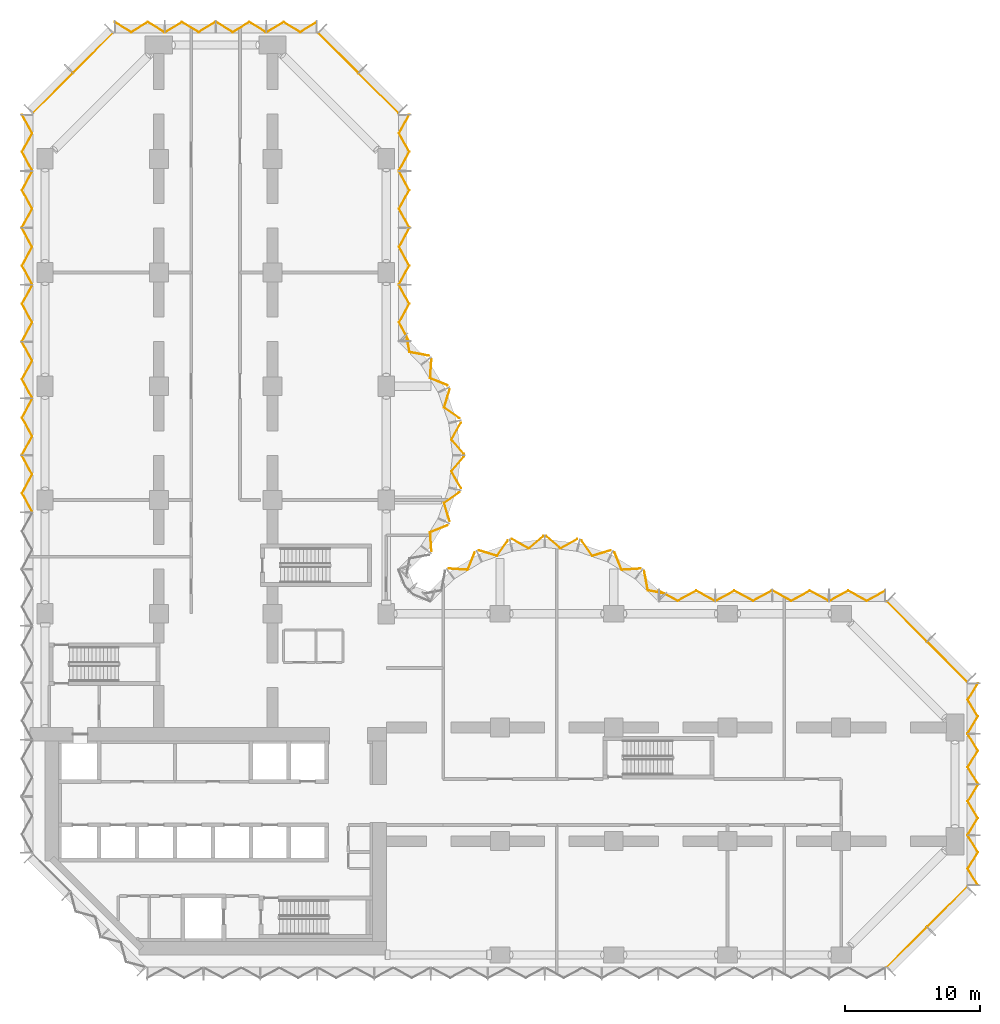
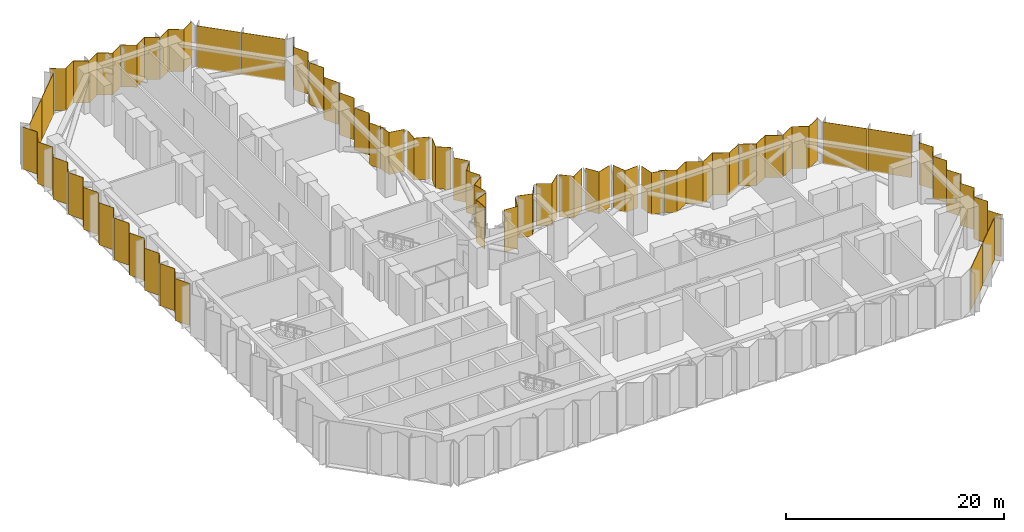
# One storey, part 18 of 18: 45 coverings, 11 elements without a shape of their own.
"""IFC4 building model written with IfcOpenShell, lengths in metres."""

from ifc_helpers import new_model, si_unit, direction, frame, origin, place, context, subcontext, project, spatial, polyline, outline, extrude, material, layer, layer_set, type_object, element, aggregate, save


model = new_model("IFC4")

# Units and contexts
model_context = context("Model", 3, precision=1e-05, world=origin(), true_north=direction((0.0, 1.0)))
body_context = subcontext(model_context, "Body", "Model", "MODEL_VIEW")
ifc_project = project(units=[si_unit("LENGTHUNIT", "METRE"), si_unit("AREAUNIT", "SQUARE_METRE"), si_unit("VOLUMEUNIT", "CUBIC_METRE"), si_unit("PLANEANGLEUNIT", "RADIAN"), si_unit("MASSUNIT", "GRAM", prefix="KILO")], contexts=[model_context])

# Site, building, storey
site_placement = place(None, origin())
site = spatial("IfcSite", under=ifc_project, at=site_placement, CompositionType="ELEMENT")
building_placement = place(site_placement, origin())
building = spatial("IfcBuilding", under=site, at=building_placement, Name="Brevane Broadcast Tower", CompositionType="ELEMENT")
storey_placement = place(building_placement, frame((0.0, 0.0, 86.89990234375)))
storey = spatial("IfcBuildingStorey", under=building, at=storey_placement, Name="L20", CompositionType="ELEMENT", Elevation=86.89990234375)

# Curtain wall, coverings
ifc_material_1 = material(Name="Aluminium 6063-T6 bronze anodised", Category="aluminium")
curtain_wall_type = type_object("IfcCurtainWallType", Name="CW-3 curtain wall", PredefinedType="NOTDEFINED", material=ifc_material_1)
curtain_wall_1_placement = place(storey_placement, origin())
curtain_wall_1 = element("IfcCurtainWall", 1, at=curtain_wall_1_placement, inside=storey, type_object=curtain_wall_type, Name="CW-3 refuge louvre unit L20 south-east chamfer", PredefinedType="NOTDEFINED")
ifc_material_2 = material(Name="Aluminium bronze anodised cladding", Category="aluminium")
ifc_layer = layer(ifc_material_2, 0.050048828125)
ifc_layer_set = layer_set([ifc_layer], Name="CW refuge spandrel 50")
covering_type = type_object("IfcCoveringType", Name="CW refuge spandrel 50", PredefinedType="CLADDING", material=ifc_layer_set)
covering_1_placement = place(storey_placement, frame((0.0, 0.0, -0.159912109375)))
covering_1 = element("IfcCovering", 2, at=covering_1_placement, type_object=covering_type, Name="Refuge cladding panel", PredefinedType="CLADDING", context=body_context, shape_type="SweptSolid", body=[
    extrude(outline(polyline([(62.1494140625, -0.892822265625), (65.093017578125, 2.050537109375), (65.12109375, 2.022216796875), (62.177734375, -0.921142578125), (62.1494140625, -0.892822265625)])), origin(), (0.0, 0.0, 1.0), 4.7099609375),
])
covering_2_placement = place(storey_placement, frame((0.0, 0.0, -0.159912109375)))
covering_2 = element("IfcCovering", 3, at=covering_2_placement, type_object=covering_type, Name="Refuge cladding panel", PredefinedType="CLADDING", context=body_context, shape_type="SweptSolid", body=[
    extrude(outline(polyline([(65.1494140625, 2.107177734375), (68.093017578125, 5.050537109375), (68.12109375, 5.022216796875), (65.177734375, 2.078857421875), (65.1494140625, 2.107177734375)])), origin(), (0.0, 0.0, 1.0), 4.7099609375),
])
aggregate(curtain_wall_1, [covering_1, covering_2])

curtain_wall_2_placement = place(storey_placement, origin())
curtain_wall_2 = element("IfcCurtainWall", 4, at=curtain_wall_2_placement, inside=storey, type_object=curtain_wall_type, Name="CW-3 refuge louvre unit L20 east end", PredefinedType="NOTDEFINED")
covering_3_placement = place(storey_placement, frame((0.0, 0.0, -0.159912109375)))
covering_3 = element("IfcCovering", 5, at=covering_3_placement, type_object=covering_type, Name="Refuge cladding panel", PredefinedType="CLADDING", context=body_context, shape_type="SweptSolid", body=[
    extrude(outline(polyline([(68.87109375, 5.139892578125), (68.917724609375, 5.139892578125), (68.17333984375, 6.36328125), (68.917724609375, 7.586669921875), (68.17333984375, 8.81005859375), (68.126708984375, 8.81005859375), (68.87109375, 7.586669921875), (68.126708984375, 6.36328125), (68.87109375, 5.139892578125)])), origin(), (0.0, 0.0, 1.0), 4.7099609375),
])
covering_4_placement = place(storey_placement, frame((0.0, 0.0, -0.159912109375)))
covering_4 = element("IfcCovering", 6, at=covering_4_placement, type_object=covering_type, Name="Refuge cladding panel", PredefinedType="CLADDING", context=body_context, shape_type="SweptSolid", body=[
    extrude(outline(polyline([(68.126708984375, 8.889892578125), (68.17333984375, 8.889892578125), (68.917724609375, 10.11328125), (68.17333984375, 11.336669921875), (68.917724609375, 12.56005859375), (68.87109375, 12.56005859375), (68.126708984375, 11.336669921875), (68.87109375, 10.11328125), (68.126708984375, 8.889892578125)])), origin(), (0.0, 0.0, 1.0), 4.7099609375),
])
covering_5_placement = place(storey_placement, frame((0.0, 0.0, -0.159912109375)))
covering_5 = element("IfcCovering", 7, at=covering_5_placement, type_object=covering_type, Name="Refuge cladding panel", PredefinedType="CLADDING", context=body_context, shape_type="SweptSolid", body=[
    extrude(outline(polyline([(68.87109375, 12.639892578125), (68.917724609375, 12.639892578125), (68.17333984375, 13.86328125), (68.917724609375, 15.086669921875), (68.17333984375, 16.31005859375), (68.126708984375, 16.31005859375), (68.87109375, 15.086669921875), (68.126708984375, 13.86328125), (68.87109375, 12.639892578125)])), origin(), (0.0, 0.0, 1.0), 4.7099609375),
])
covering_6_placement = place(storey_placement, frame((0.0, 0.0, -0.159912109375)))
covering_6 = element("IfcCovering", 8, at=covering_6_placement, type_object=covering_type, Name="Refuge cladding panel", PredefinedType="CLADDING", context=body_context, shape_type="SweptSolid", body=[
    extrude(outline(polyline([(68.126708984375, 16.389892578125), (68.17333984375, 16.389892578125), (68.917724609375, 17.61328125), (68.17333984375, 18.836669921875), (68.917724609375, 20.06005859375), (68.87109375, 20.06005859375), (68.126708984375, 18.836669921875), (68.87109375, 17.61328125), (68.126708984375, 16.389892578125)])), origin(), (0.0, 0.0, 1.0), 4.7099609375),
])
aggregate(curtain_wall_2, [covering_3, covering_4, covering_5, covering_6])

curtain_wall_3_placement = place(storey_placement, origin())
curtain_wall_3 = element("IfcCurtainWall", 9, at=curtain_wall_3_placement, inside=storey, type_object=curtain_wall_type, Name="CW-3 refuge louvre unit L20 north-east chamfer", PredefinedType="NOTDEFINED")
covering_7_placement = place(storey_placement, frame((0.0, 0.0, -0.159912109375)))
covering_7 = element("IfcCovering", 10, at=covering_7_placement, type_object=covering_type, Name="Refuge cladding panel", PredefinedType="CLADDING", context=body_context, shape_type="SweptSolid", body=[
    extrude(outline(polyline([(68.093017578125, 20.1494140625), (65.1494140625, 23.093017578125), (65.177734375, 23.12109375), (68.12109375, 20.177734375), (68.093017578125, 20.1494140625)])), origin(), (0.0, 0.0, 1.0), 4.7099609375),
])
covering_8_placement = place(storey_placement, frame((0.0, 0.0, -0.159912109375)))
covering_8 = element("IfcCovering", 11, at=covering_8_placement, type_object=covering_type, Name="Refuge cladding panel", PredefinedType="CLADDING", context=body_context, shape_type="SweptSolid", body=[
    extrude(outline(polyline([(65.093017578125, 23.1494140625), (62.1494140625, 26.093017578125), (62.177734375, 26.12109375), (65.12109375, 23.177734375), (65.093017578125, 23.1494140625)])), origin(), (0.0, 0.0, 1.0), 4.7099609375),
])
aggregate(curtain_wall_3, [covering_7, covering_8])

curtain_wall_4_placement = place(storey_placement, origin())
curtain_wall_4 = element("IfcCurtainWall", 12, at=curtain_wall_4_placement, inside=storey, type_object=curtain_wall_type, Name="CW-3 refuge louvre unit L20 east arm north face", PredefinedType="NOTDEFINED")
covering_9_placement = place(storey_placement, frame((0.0, 0.0, -0.159912109375)))
covering_9 = element("IfcCovering", 13, at=covering_9_placement, type_object=covering_type, Name="Refuge cladding panel", PredefinedType="CLADDING", context=body_context, shape_type="SweptSolid", body=[
    extrude(outline(polyline([(62.06005859375, 26.87158203125), (62.06005859375, 26.9169921875), (60.686767578125, 26.172607421875), (59.313232421875, 26.9169921875), (57.93994140625, 26.172607421875), (57.93994140625, 26.127197265625), (59.313232421875, 26.87158203125), (60.686767578125, 26.127197265625), (62.06005859375, 26.87158203125)])), origin(), (0.0, 0.0, 1.0), 4.7099609375),
])
covering_10_placement = place(storey_placement, frame((0.0, 0.0, -0.159912109375)))
covering_10 = element("IfcCovering", 14, at=covering_10_placement, type_object=covering_type, Name="Refuge cladding panel", PredefinedType="CLADDING", context=body_context, shape_type="SweptSolid", body=[
    extrude(outline(polyline([(57.860107421875, 26.127197265625), (57.860107421875, 26.172607421875), (56.48681640625, 26.9169921875), (55.11328125, 26.172607421875), (53.739990234375, 26.9169921875), (53.739990234375, 26.87158203125), (55.11328125, 26.127197265625), (56.48681640625, 26.87158203125), (57.860107421875, 26.127197265625)])), origin(), (0.0, 0.0, 1.0), 4.7099609375),
])
covering_11_placement = place(storey_placement, frame((0.0, 0.0, -0.159912109375)))
covering_11 = element("IfcCovering", 15, at=covering_11_placement, type_object=covering_type, Name="Refuge cladding panel", PredefinedType="CLADDING", context=body_context, shape_type="SweptSolid", body=[
    extrude(outline(polyline([(53.659912109375, 26.87158203125), (53.659912109375, 26.9169921875), (52.28662109375, 26.172607421875), (50.913330078125, 26.9169921875), (49.5400390625, 26.172607421875), (49.5400390625, 26.127197265625), (50.913330078125, 26.87158203125), (52.28662109375, 26.127197265625), (53.659912109375, 26.87158203125)])), origin(), (0.0, 0.0, 1.0), 4.7099609375),
])
covering_12_placement = place(storey_placement, frame((0.0, 0.0, -0.159912109375)))
covering_12 = element("IfcCovering", 16, at=covering_12_placement, type_object=covering_type, Name="Refuge cladding panel", PredefinedType="CLADDING", context=body_context, shape_type="SweptSolid", body=[
    extrude(outline(polyline([(49.4599609375, 26.127197265625), (49.4599609375, 26.172607421875), (48.086669921875, 26.9169921875), (46.71337890625, 26.172607421875), (45.340087890625, 26.9169921875), (45.340087890625, 26.87158203125), (46.71337890625, 26.127197265625), (48.086669921875, 26.87158203125), (49.4599609375, 26.127197265625)])), origin(), (0.0, 0.0, 1.0), 4.7099609375),
])
aggregate(curtain_wall_4, [covering_9, covering_10, covering_11, covering_12])

curtain_wall_5_placement = place(storey_placement, origin())
curtain_wall_5 = element("IfcCurtainWall", 17, at=curtain_wall_5_placement, inside=storey, type_object=curtain_wall_type, Name="CW-3 refuge louvre unit L20 east bow", PredefinedType="NOTDEFINED")
covering_13_placement = place(storey_placement, frame((0.0, 0.0, -0.159912109375)))
covering_13 = element("IfcCovering", 18, at=covering_13_placement, type_object=covering_type, Name="Refuge cladding panel", PredefinedType="CLADDING", context=body_context, shape_type="SweptSolid", body=[
    extrude(outline(polyline([(45.78759765625, 26.659423828125), (45.821044921875, 26.693603515625), (44.539306640625, 26.9423828125), (44.26806640625, 28.382568359375), (44.235107421875, 28.340576171875), (44.5048828125, 26.908203125), (45.78759765625, 26.659423828125)])), origin(), (0.0, 0.0, 1.0), 4.7099609375),
])
covering_14_placement = place(storey_placement, frame((0.0, 0.0, -0.159912109375)))
covering_14 = element("IfcCovering", 19, at=covering_14_placement, type_object=covering_type, Name="Refuge cladding panel", PredefinedType="CLADDING", context=body_context, shape_type="SweptSolid", body=[
    extrude(outline(polyline([(43.9462890625, 28.51171875), (43.979248046875, 28.553955078125), (42.601318359375, 28.463134765625), (42.07470703125, 29.759521484375), (42.051513671875, 29.71044921875), (42.5751953125, 28.421142578125), (43.9462890625, 28.51171875)])), origin(), (0.0, 0.0, 1.0), 4.7099609375),
])
covering_15_placement = place(storey_placement, frame((0.0, 0.0, -0.159912109375)))
covering_15 = element("IfcCovering", 20, at=covering_15_placement, type_object=covering_type, Name="Refuge cladding panel", PredefinedType="CLADDING", context=body_context, shape_type="SweptSolid", body=[
    extrude(outline(polyline([(41.750732421875, 29.853759765625), (41.77392578125, 29.902587890625), (40.435546875, 29.494384765625), (39.6376953125, 30.62158203125), (39.62548828125, 30.5693359375), (40.41943359375, 29.44775390625), (41.750732421875, 29.853759765625)])), origin(), (0.0, 0.0, 1.0), 4.7099609375),
])
covering_16_placement = place(storey_placement, frame((0.0, 0.0, -0.159912109375)))
covering_16 = element("IfcCovering", 21, at=covering_16_placement, type_object=covering_type, Name="Refuge cladding panel", PredefinedType="CLADDING", context=body_context, shape_type="SweptSolid", body=[
    extrude(outline(polyline([(39.311279296875, 30.68896484375), (39.323486328125, 30.74169921875), (38.069580078125, 30.036376953125), (37.012939453125, 30.94873046875), (37.012939453125, 30.89599609375), (38.064697265625, 29.98779296875), (39.311279296875, 30.68896484375)])), origin(), (0.0, 0.0, 1.0), 4.7099609375),
])
covering_17_placement = place(storey_placement, frame((0.0, 0.0, -0.159912109375)))
covering_17 = element("IfcCovering", 22, at=covering_17_placement, type_object=covering_type, Name="Refuge cladding panel", PredefinedType="CLADDING", context=body_context, shape_type="SweptSolid", body=[
    extrude(outline(polyline([(36.787109375, 30.89599609375), (36.787109375, 30.94873046875), (35.730224609375, 30.036376953125), (34.4765625, 30.74169921875), (34.488525390625, 30.68896484375), (35.735107421875, 29.98779296875), (36.787109375, 30.89599609375)])), origin(), (0.0, 0.0, 1.0), 4.7099609375),
])
covering_18_placement = place(storey_placement, frame((0.0, 0.0, -0.159912109375)))
covering_18 = element("IfcCovering", 23, at=covering_18_placement, type_object=covering_type, Name="Refuge cladding panel", PredefinedType="CLADDING", context=body_context, shape_type="SweptSolid", body=[
    extrude(outline(polyline([(34.174560546875, 30.5693359375), (34.162353515625, 30.62158203125), (33.364501953125, 29.494384765625), (32.02587890625, 29.902587890625), (32.04931640625, 29.853759765625), (33.380615234375, 29.44775390625), (34.174560546875, 30.5693359375)])), origin(), (0.0, 0.0, 1.0), 4.7099609375),
])
covering_19_placement = place(storey_placement, frame((0.0, 0.0, -0.159912109375)))
covering_19 = element("IfcCovering", 24, at=covering_19_placement, type_object=covering_type, Name="Refuge cladding panel", PredefinedType="CLADDING", context=body_context, shape_type="SweptSolid", body=[
    extrude(outline(polyline([(31.74853515625, 29.71044921875), (31.725341796875, 29.759521484375), (31.198486328125, 28.463134765625), (29.82080078125, 28.553955078125), (29.853515625, 28.51171875), (31.224853515625, 28.421142578125), (31.74853515625, 29.71044921875)])), origin(), (0.0, 0.0, 1.0), 4.7099609375),
])
aggregate(curtain_wall_5, [covering_13, covering_14, covering_15, covering_16, covering_17, covering_18, covering_19])

curtain_wall_6_placement = place(storey_placement, origin())
curtain_wall_6 = element("IfcCurtainWall", 25, at=curtain_wall_6_placement, inside=storey, type_object=curtain_wall_type, Name="CW-3 refuge louvre unit L20 north bow", PredefinedType="NOTDEFINED")
covering_20_placement = place(storey_placement, frame((0.0, 0.0, -0.159912109375)))
covering_20 = element("IfcCovering", 26, at=covering_20_placement, type_object=covering_type, Name="Refuge cladding panel", PredefinedType="CLADDING", context=body_context, shape_type="SweptSolid", body=[
    extrude(outline(polyline([(28.51171875, 29.853515625), (28.553955078125, 29.82080078125), (28.463134765625, 31.198486328125), (29.759521484375, 31.725341796875), (29.71044921875, 31.74853515625), (28.421142578125, 31.224853515625), (28.51171875, 29.853515625)])), origin(), (0.0, 0.0, 1.0), 4.7099609375),
])
covering_21_placement = place(storey_placement, frame((0.0, 0.0, -0.159912109375)))
covering_21 = element("IfcCovering", 27, at=covering_21_placement, type_object=covering_type, Name="Refuge cladding panel", PredefinedType="CLADDING", context=body_context, shape_type="SweptSolid", body=[
    extrude(outline(polyline([(29.853759765625, 32.04931640625), (29.902587890625, 32.02587890625), (29.494384765625, 33.364501953125), (30.62158203125, 34.162353515625), (30.5693359375, 34.174560546875), (29.44775390625, 33.380615234375), (29.853759765625, 32.04931640625)])), origin(), (0.0, 0.0, 1.0), 4.7099609375),
])
covering_22_placement = place(storey_placement, frame((0.0, 0.0, -0.159912109375)))
covering_22 = element("IfcCovering", 28, at=covering_22_placement, type_object=covering_type, Name="Refuge cladding panel", PredefinedType="CLADDING", context=body_context, shape_type="SweptSolid", body=[
    extrude(outline(polyline([(30.68896484375, 34.488525390625), (30.74169921875, 34.4765625), (30.036376953125, 35.730224609375), (30.94873046875, 36.787109375), (30.89599609375, 36.787109375), (29.98779296875, 35.735107421875), (30.68896484375, 34.488525390625)])), origin(), (0.0, 0.0, 1.0), 4.7099609375),
])
covering_23_placement = place(storey_placement, frame((0.0, 0.0, -0.159912109375)))
covering_23 = element("IfcCovering", 29, at=covering_23_placement, type_object=covering_type, Name="Refuge cladding panel", PredefinedType="CLADDING", context=body_context, shape_type="SweptSolid", body=[
    extrude(outline(polyline([(30.89599609375, 37.012939453125), (30.94873046875, 37.012939453125), (30.036376953125, 38.069580078125), (30.74169921875, 39.323486328125), (30.68896484375, 39.311279296875), (29.98779296875, 38.064697265625), (30.89599609375, 37.012939453125)])), origin(), (0.0, 0.0, 1.0), 4.7099609375),
])
covering_24_placement = place(storey_placement, frame((0.0, 0.0, -0.159912109375)))
covering_24 = element("IfcCovering", 30, at=covering_24_placement, type_object=covering_type, Name="Refuge cladding panel", PredefinedType="CLADDING", context=body_context, shape_type="SweptSolid", body=[
    extrude(outline(polyline([(30.5693359375, 39.62548828125), (30.62158203125, 39.6376953125), (29.494384765625, 40.435546875), (29.902587890625, 41.77392578125), (29.853759765625, 41.750732421875), (29.44775390625, 40.41943359375), (30.5693359375, 39.62548828125)])), origin(), (0.0, 0.0, 1.0), 4.7099609375),
])
covering_25_placement = place(storey_placement, frame((0.0, 0.0, -0.159912109375)))
covering_25 = element("IfcCovering", 31, at=covering_25_placement, type_object=covering_type, Name="Refuge cladding panel", PredefinedType="CLADDING", context=body_context, shape_type="SweptSolid", body=[
    extrude(outline(polyline([(29.71044921875, 42.051513671875), (29.759521484375, 42.07470703125), (28.463134765625, 42.601318359375), (28.553955078125, 43.979248046875), (28.51171875, 43.9462890625), (28.421142578125, 42.5751953125), (29.71044921875, 42.051513671875)])), origin(), (0.0, 0.0, 1.0), 4.7099609375),
])
covering_26_placement = place(storey_placement, frame((0.0, 0.0, -0.159912109375)))
covering_26 = element("IfcCovering", 32, at=covering_26_placement, type_object=covering_type, Name="Refuge cladding panel", PredefinedType="CLADDING", context=body_context, shape_type="SweptSolid", body=[
    extrude(outline(polyline([(28.340576171875, 44.235107421875), (28.382568359375, 44.26806640625), (26.9423828125, 44.539306640625), (26.693603515625, 45.821044921875), (26.659423828125, 45.78759765625), (26.908203125, 44.5048828125), (28.340576171875, 44.235107421875)])), origin(), (0.0, 0.0, 1.0), 4.7099609375),
])
aggregate(curtain_wall_6, [covering_20, covering_21, covering_22, covering_23, covering_24, covering_25, covering_26])

curtain_wall_7_placement = place(storey_placement, origin())
curtain_wall_7 = element("IfcCurtainWall", 33, at=curtain_wall_7_placement, inside=storey, type_object=curtain_wall_type, Name="CW-3 refuge louvre unit L20 north arm east face", PredefinedType="NOTDEFINED")
covering_27_placement = place(storey_placement, frame((0.0, 0.0, -0.159912109375)))
covering_27 = element("IfcCovering", 34, at=covering_27_placement, type_object=covering_type, Name="Refuge cladding panel", PredefinedType="CLADDING", context=body_context, shape_type="SweptSolid", body=[
    extrude(outline(polyline([(26.87158203125, 45.340087890625), (26.9169921875, 45.340087890625), (26.172607421875, 46.71337890625), (26.9169921875, 48.086669921875), (26.172607421875, 49.4599609375), (26.127197265625, 49.4599609375), (26.87158203125, 48.086669921875), (26.127197265625, 46.71337890625), (26.87158203125, 45.340087890625)])), origin(), (0.0, 0.0, 1.0), 4.7099609375),
])
covering_28_placement = place(storey_placement, frame((0.0, 0.0, -0.159912109375)))
covering_28 = element("IfcCovering", 35, at=covering_28_placement, type_object=covering_type, Name="Refuge cladding panel", PredefinedType="CLADDING", context=body_context, shape_type="SweptSolid", body=[
    extrude(outline(polyline([(26.127197265625, 49.5400390625), (26.172607421875, 49.5400390625), (26.9169921875, 50.913330078125), (26.172607421875, 52.28662109375), (26.9169921875, 53.659912109375), (26.87158203125, 53.659912109375), (26.127197265625, 52.28662109375), (26.87158203125, 50.913330078125), (26.127197265625, 49.5400390625)])), origin(), (0.0, 0.0, 1.0), 4.7099609375),
])
covering_29_placement = place(storey_placement, frame((0.0, 0.0, -0.159912109375)))
covering_29 = element("IfcCovering", 36, at=covering_29_placement, type_object=covering_type, Name="Refuge cladding panel", PredefinedType="CLADDING", context=body_context, shape_type="SweptSolid", body=[
    extrude(outline(polyline([(26.87158203125, 53.739990234375), (26.9169921875, 53.739990234375), (26.172607421875, 55.11328125), (26.9169921875, 56.48681640625), (26.172607421875, 57.860107421875), (26.127197265625, 57.860107421875), (26.87158203125, 56.48681640625), (26.127197265625, 55.11328125), (26.87158203125, 53.739990234375)])), origin(), (0.0, 0.0, 1.0), 4.7099609375),
])
covering_30_placement = place(storey_placement, frame((0.0, 0.0, -0.159912109375)))
covering_30 = element("IfcCovering", 37, at=covering_30_placement, type_object=covering_type, Name="Refuge cladding panel", PredefinedType="CLADDING", context=body_context, shape_type="SweptSolid", body=[
    extrude(outline(polyline([(26.127197265625, 57.93994140625), (26.172607421875, 57.93994140625), (26.9169921875, 59.313232421875), (26.172607421875, 60.686767578125), (26.9169921875, 62.06005859375), (26.87158203125, 62.06005859375), (26.127197265625, 60.686767578125), (26.87158203125, 59.313232421875), (26.127197265625, 57.93994140625)])), origin(), (0.0, 0.0, 1.0), 4.7099609375),
])
aggregate(curtain_wall_7, [covering_27, covering_28, covering_29, covering_30])

curtain_wall_8_placement = place(storey_placement, origin())
curtain_wall_8 = element("IfcCurtainWall", 38, at=curtain_wall_8_placement, inside=storey, type_object=curtain_wall_type, Name="CW-3 refuge louvre unit L20 north arm north-east chamfer", PredefinedType="NOTDEFINED")
covering_31_placement = place(storey_placement, frame((0.0, 0.0, -0.159912109375)))
covering_31 = element("IfcCovering", 39, at=covering_31_placement, type_object=covering_type, Name="Refuge cladding panel", PredefinedType="CLADDING", context=body_context, shape_type="SweptSolid", body=[
    extrude(outline(polyline([(26.093017578125, 62.1494140625), (23.1494140625, 65.093017578125), (23.177734375, 65.12109375), (26.12109375, 62.177734375), (26.093017578125, 62.1494140625)])), origin(), (0.0, 0.0, 1.0), 4.7099609375),
])
covering_32_placement = place(storey_placement, frame((0.0, 0.0, -0.159912109375)))
covering_32 = element("IfcCovering", 40, at=covering_32_placement, type_object=covering_type, Name="Refuge cladding panel", PredefinedType="CLADDING", context=body_context, shape_type="SweptSolid", body=[
    extrude(outline(polyline([(23.093017578125, 65.1494140625), (20.1494140625, 68.093017578125), (20.177734375, 68.12109375), (23.12109375, 65.177734375), (23.093017578125, 65.1494140625)])), origin(), (0.0, 0.0, 1.0), 4.7099609375),
])
aggregate(curtain_wall_8, [covering_31, covering_32])

curtain_wall_9_placement = place(storey_placement, origin())
curtain_wall_9 = element("IfcCurtainWall", 41, at=curtain_wall_9_placement, inside=storey, type_object=curtain_wall_type, Name="CW-3 refuge louvre unit L20 north end", PredefinedType="NOTDEFINED")
covering_33_placement = place(storey_placement, frame((0.0, 0.0, -0.159912109375)))
covering_33 = element("IfcCovering", 42, at=covering_33_placement, type_object=covering_type, Name="Refuge cladding panel", PredefinedType="CLADDING", context=body_context, shape_type="SweptSolid", body=[
    extrude(outline(polyline([(20.06005859375, 68.87109375), (20.06005859375, 68.917724609375), (18.836669921875, 68.17333984375), (17.61328125, 68.917724609375), (16.389892578125, 68.17333984375), (16.389892578125, 68.126708984375), (17.61328125, 68.87109375), (18.836669921875, 68.126708984375), (20.06005859375, 68.87109375)])), origin(), (0.0, 0.0, 1.0), 4.7099609375),
])
covering_34_placement = place(storey_placement, frame((0.0, 0.0, -0.159912109375)))
covering_34 = element("IfcCovering", 43, at=covering_34_placement, type_object=covering_type, Name="Refuge cladding panel", PredefinedType="CLADDING", context=body_context, shape_type="SweptSolid", body=[
    extrude(outline(polyline([(16.31005859375, 68.126708984375), (16.31005859375, 68.17333984375), (15.086669921875, 68.917724609375), (13.86328125, 68.17333984375), (12.639892578125, 68.917724609375), (12.639892578125, 68.87109375), (13.86328125, 68.126708984375), (15.086669921875, 68.87109375), (16.31005859375, 68.126708984375)])), origin(), (0.0, 0.0, 1.0), 4.7099609375),
])
covering_35_placement = place(storey_placement, frame((0.0, 0.0, -0.159912109375)))
covering_35 = element("IfcCovering", 44, at=covering_35_placement, type_object=covering_type, Name="Refuge cladding panel", PredefinedType="CLADDING", context=body_context, shape_type="SweptSolid", body=[
    extrude(outline(polyline([(12.56005859375, 68.87109375), (12.56005859375, 68.917724609375), (11.336669921875, 68.17333984375), (10.11328125, 68.917724609375), (8.889892578125, 68.17333984375), (8.889892578125, 68.126708984375), (10.11328125, 68.87109375), (11.336669921875, 68.126708984375), (12.56005859375, 68.87109375)])), origin(), (0.0, 0.0, 1.0), 4.7099609375),
])
covering_36_placement = place(storey_placement, frame((0.0, 0.0, -0.159912109375)))
covering_36 = element("IfcCovering", 45, at=covering_36_placement, type_object=covering_type, Name="Refuge cladding panel", PredefinedType="CLADDING", context=body_context, shape_type="SweptSolid", body=[
    extrude(outline(polyline([(8.81005859375, 68.126708984375), (8.81005859375, 68.17333984375), (7.586669921875, 68.917724609375), (6.36328125, 68.17333984375), (5.139892578125, 68.917724609375), (5.139892578125, 68.87109375), (6.36328125, 68.126708984375), (7.586669921875, 68.87109375), (8.81005859375, 68.126708984375)])), origin(), (0.0, 0.0, 1.0), 4.7099609375),
])
aggregate(curtain_wall_9, [covering_33, covering_34, covering_35, covering_36])

curtain_wall_10_placement = place(storey_placement, origin())
curtain_wall_10 = element("IfcCurtainWall", 46, at=curtain_wall_10_placement, inside=storey, type_object=curtain_wall_type, Name="CW-3 refuge louvre unit L20 north-west chamfer", PredefinedType="NOTDEFINED")
covering_37_placement = place(storey_placement, frame((0.0, 0.0, -0.159912109375)))
covering_37 = element("IfcCovering", 47, at=covering_37_placement, type_object=covering_type, Name="Refuge cladding panel", PredefinedType="CLADDING", context=body_context, shape_type="SweptSolid", body=[
    extrude(outline(polyline([(5.050537109375, 68.093017578125), (2.107177734375, 65.1494140625), (2.078857421875, 65.177734375), (5.022216796875, 68.12109375), (5.050537109375, 68.093017578125)])), origin(), (0.0, 0.0, 1.0), 4.7099609375),
])
covering_38_placement = place(storey_placement, frame((0.0, 0.0, -0.159912109375)))
covering_38 = element("IfcCovering", 48, at=covering_38_placement, type_object=covering_type, Name="Refuge cladding panel", PredefinedType="CLADDING", context=body_context, shape_type="SweptSolid", body=[
    extrude(outline(polyline([(2.050537109375, 65.093017578125), (-0.892822265625, 62.1494140625), (-0.921142578125, 62.177734375), (2.022216796875, 65.12109375), (2.050537109375, 65.093017578125)])), origin(), (0.0, 0.0, 1.0), 4.7099609375),
])
aggregate(curtain_wall_10, [covering_37, covering_38])

curtain_wall_11_placement = place(storey_placement, origin())
curtain_wall_11 = element("IfcCurtainWall", 49, at=curtain_wall_11_placement, inside=storey, type_object=curtain_wall_type, Name="CW-3 refuge louvre unit L20 west face", PredefinedType="NOTDEFINED")
covering_39_placement = place(storey_placement, frame((0.0, 0.0, -0.159912109375)))
covering_39 = element("IfcCovering", 50, at=covering_39_placement, type_object=covering_type, Name="Refuge cladding panel", PredefinedType="CLADDING", context=body_context, shape_type="SweptSolid", body=[
    extrude(outline(polyline([(-1.671630859375, 62.06005859375), (-1.717041015625, 62.06005859375), (-0.97265625, 60.686767578125), (-1.717041015625, 59.313232421875), (-0.97265625, 57.93994140625), (-0.92724609375, 57.93994140625), (-1.671630859375, 59.313232421875), (-0.92724609375, 60.686767578125), (-1.671630859375, 62.06005859375)])), origin(), (0.0, 0.0, 1.0), 4.7099609375),
])
covering_40_placement = place(storey_placement, frame((0.0, 0.0, -0.159912109375)))
covering_40 = element("IfcCovering", 51, at=covering_40_placement, type_object=covering_type, Name="Refuge cladding panel", PredefinedType="CLADDING", context=body_context, shape_type="SweptSolid", body=[
    extrude(outline(polyline([(-0.92724609375, 57.860107421875), (-0.97265625, 57.860107421875), (-1.717041015625, 56.48681640625), (-0.97265625, 55.11328125), (-1.717041015625, 53.739990234375), (-1.671630859375, 53.739990234375), (-0.92724609375, 55.11328125), (-1.671630859375, 56.48681640625), (-0.92724609375, 57.860107421875)])), origin(), (0.0, 0.0, 1.0), 4.7099609375),
])
covering_41_placement = place(storey_placement, frame((0.0, 0.0, -0.159912109375)))
covering_41 = element("IfcCovering", 52, at=covering_41_placement, type_object=covering_type, Name="Refuge cladding panel", PredefinedType="CLADDING", context=body_context, shape_type="SweptSolid", body=[
    extrude(outline(polyline([(-1.671630859375, 53.659912109375), (-1.717041015625, 53.659912109375), (-0.97265625, 52.28662109375), (-1.717041015625, 50.913330078125), (-0.97265625, 49.5400390625), (-0.92724609375, 49.5400390625), (-1.671630859375, 50.913330078125), (-0.92724609375, 52.28662109375), (-1.671630859375, 53.659912109375)])), origin(), (0.0, 0.0, 1.0), 4.7099609375),
])
covering_42_placement = place(storey_placement, frame((0.0, 0.0, -0.159912109375)))
covering_42 = element("IfcCovering", 53, at=covering_42_placement, type_object=covering_type, Name="Refuge cladding panel", PredefinedType="CLADDING", context=body_context, shape_type="SweptSolid", body=[
    extrude(outline(polyline([(-0.92724609375, 49.4599609375), (-0.97265625, 49.4599609375), (-1.717041015625, 48.086669921875), (-0.97265625, 46.71337890625), (-1.717041015625, 45.340087890625), (-1.671630859375, 45.340087890625), (-0.92724609375, 46.71337890625), (-1.671630859375, 48.086669921875), (-0.92724609375, 49.4599609375)])), origin(), (0.0, 0.0, 1.0), 4.7099609375),
])
covering_43_placement = place(storey_placement, frame((0.0, 0.0, -0.159912109375)))
covering_43 = element("IfcCovering", 54, at=covering_43_placement, type_object=covering_type, Name="Refuge cladding panel", PredefinedType="CLADDING", context=body_context, shape_type="SweptSolid", body=[
    extrude(outline(polyline([(-1.671630859375, 45.260009765625), (-1.717041015625, 45.260009765625), (-0.97265625, 43.88671875), (-1.717041015625, 42.51318359375), (-0.97265625, 41.139892578125), (-0.92724609375, 41.139892578125), (-1.671630859375, 42.51318359375), (-0.92724609375, 43.88671875), (-1.671630859375, 45.260009765625)])), origin(), (0.0, 0.0, 1.0), 4.7099609375),
])
covering_44_placement = place(storey_placement, frame((0.0, 0.0, -0.159912109375)))
covering_44 = element("IfcCovering", 55, at=covering_44_placement, type_object=covering_type, Name="Refuge cladding panel", PredefinedType="CLADDING", context=body_context, shape_type="SweptSolid", body=[
    extrude(outline(polyline([(-0.92724609375, 41.06005859375), (-0.97265625, 41.06005859375), (-1.717041015625, 39.686767578125), (-0.97265625, 38.313232421875), (-1.717041015625, 36.93994140625), (-1.671630859375, 36.93994140625), (-0.92724609375, 38.313232421875), (-1.671630859375, 39.686767578125), (-0.92724609375, 41.06005859375)])), origin(), (0.0, 0.0, 1.0), 4.7099609375),
])
covering_45_placement = place(storey_placement, frame((0.0, 0.0, -0.159912109375)))
covering_45 = element("IfcCovering", 56, at=covering_45_placement, type_object=covering_type, Name="Refuge cladding panel", PredefinedType="CLADDING", context=body_context, shape_type="SweptSolid", body=[
    extrude(outline(polyline([(-1.671630859375, 36.860107421875), (-1.717041015625, 36.860107421875), (-0.97265625, 35.48681640625), (-1.717041015625, 34.11328125), (-0.97265625, 32.739990234375), (-0.92724609375, 32.739990234375), (-1.671630859375, 34.11328125), (-0.92724609375, 35.48681640625), (-1.671630859375, 36.860107421875)])), origin(), (0.0, 0.0, 1.0), 4.7099609375),
])
aggregate(curtain_wall_11, [covering_39, covering_40, covering_41, covering_42, covering_43, covering_44, covering_45])

save(model, "model.ifc")
